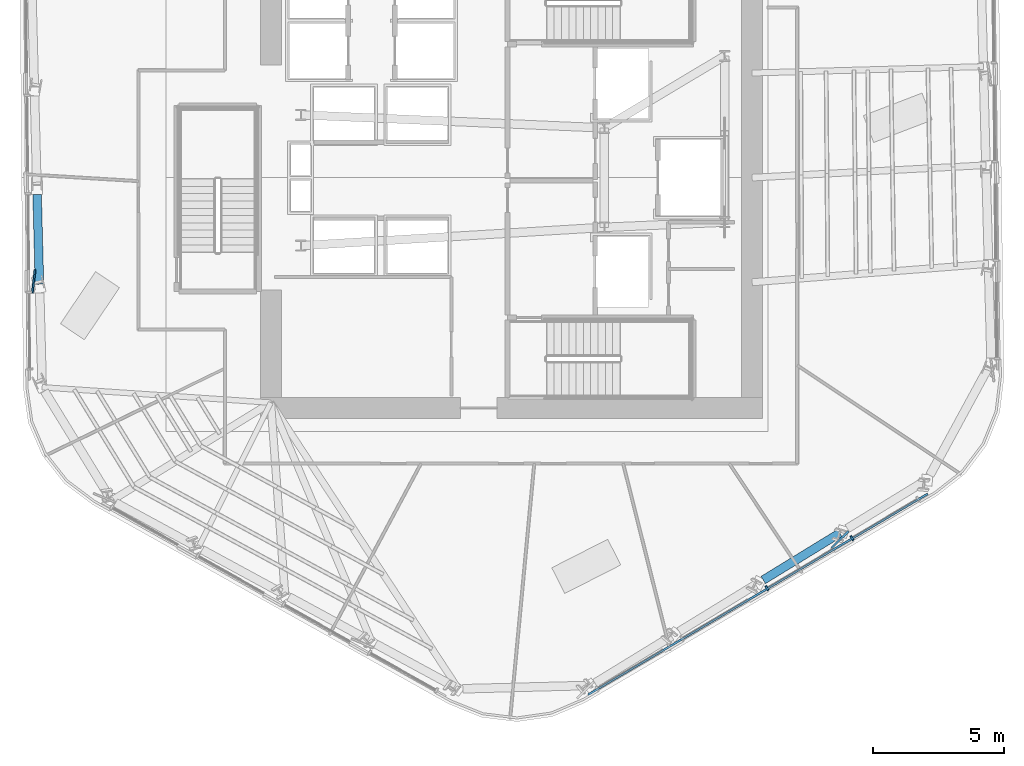
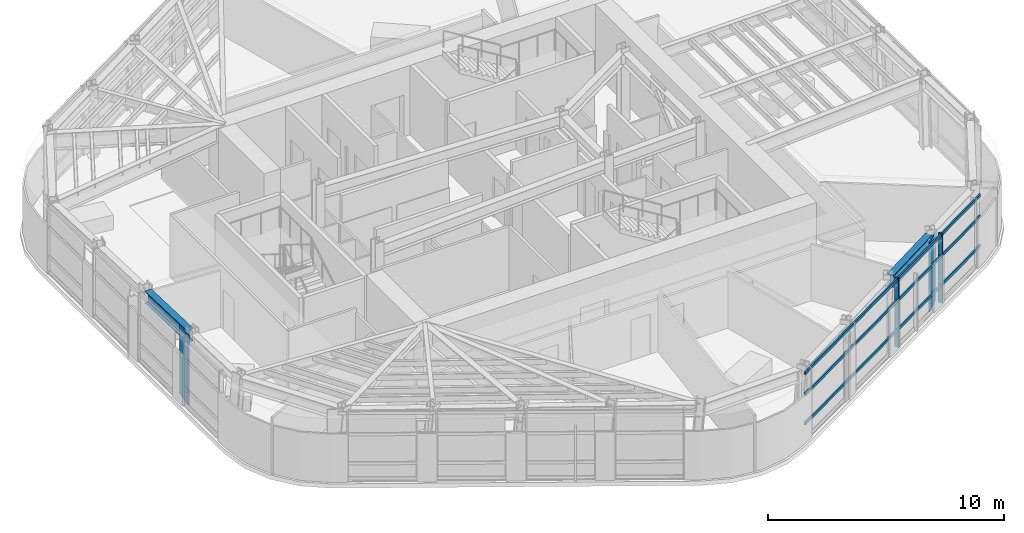
# One storey, part 3 of 16: 7 members, 2 beams, 1 element without a shape of its own.
"""IFC4 building model written with IfcOpenShell, lengths in metres."""

from ifc_helpers import new_model, si_unit, direction, frame, origin, origin_2d, place, context, subcontext, project, spatial, rectangle, i_section, extrude, material, layer, layer_set, material_profile, profile_set, type_object, element, aggregate, save


model = new_model("IFC4")

# Units and contexts
model_context = context("Model", 3, precision=1e-05, world=origin(), true_north=direction((0.0, 1.0)))
body_context = subcontext(model_context, "Body", "Model", "MODEL_VIEW")
ifc_project = project(units=[si_unit("LENGTHUNIT", "METRE"), si_unit("AREAUNIT", "SQUARE_METRE"), si_unit("VOLUMEUNIT", "CUBIC_METRE"), si_unit("PLANEANGLEUNIT", "RADIAN"), si_unit("MASSUNIT", "GRAM", prefix="KILO")], contexts=[model_context])

# Site, building, storey
site_placement = place(None, origin())
site = spatial("IfcSite", under=ifc_project, at=site_placement, CompositionType="ELEMENT")
building_placement = place(site_placement, origin())
building = spatial("IfcBuilding", under=site, at=building_placement, Name="Valkerne Bourse Tower", CompositionType="ELEMENT")
storey_placement = place(building_placement, frame((0.0, 0.0, 155.199951171875)))
storey = spatial("IfcBuildingStorey", under=building, at=storey_placement, Name="L39", CompositionType="ELEMENT", Elevation=155.199951171875)

# Beams
ifc_material_1 = material(Name="Steel ASTM A992", Category="steel")
ifc_material_profile_1 = material_profile(ifc_material_1, i_section(OverallWidth=0.32763671875, OverallDepth=0.62744140625, WebThickness=0.0166015625, FlangeThickness=0.027587890625, FilletRadius=0.020263671875, at=origin_2d()), Name="W24X146")
ifc_profile_set_1 = profile_set([ifc_material_profile_1], Name="Steel ASTM A992")
beam_type = type_object("IfcBeamType", Name="BM-W24X146", PredefinedType="SPANDREL", material=ifc_profile_set_1)
beam_1_placement = place(storey_placement, frame((28.66748046875, 26.355224609375, 3.266357421875), z_axis=(0.026185053561, -0.999657112699, 0.0), x_axis=(0.999657112699, 0.026185053561, 0.0)))
element("IfcBeam", 1, at=beam_1_placement, inside=storey, type_object=beam_type, Name="L39 Hexagonal Spandrel Ring Beam 12", PredefinedType="SPANDREL", context=body_context, shape_type="SweptSolid", body=[
    extrude(i_section(OverallWidth=0.32763671875, OverallDepth=0.62744140625, WebThickness=0.0166015625, FlangeThickness=0.027587890625, FilletRadius=0.020263671875, at=origin_2d()), origin(), (0.0, 0.0, 1.0), 3.43115234375),
])
beam_2_placement = place(storey_placement, frame((56.4248046875, 11.619140625, 3.266357421875), z_axis=(0.8526268191, 0.522520341567, 0.0), x_axis=(-0.522520341567, 0.8526268191, 0.0)))
element("IfcBeam", 2, at=beam_2_placement, inside=storey, type_object=beam_type, Name="L39 Hexagonal Spandrel Ring Beam 22", PredefinedType="SPANDREL", context=body_context, shape_type="SweptSolid", body=[
    extrude(i_section(OverallWidth=0.32763671875, OverallDepth=0.62744140625, WebThickness=0.0166015625, FlangeThickness=0.027587890625, FilletRadius=0.020263671875, at=origin_2d()), origin(), (0.0, 0.0, 1.0), 3.430908203125),
])

# Curtain wall, members
ifc_material_2 = material(Name="Aluminium AA 6063-T6", Category="aluminium")
ifc_layer = layer(ifc_material_2, 0.235107421875)
ifc_layer_set = layer_set([ifc_layer], Name="Aluminium AA 6063-T6")
curtain_wall_type = type_object("IfcCurtainWallType", Name="CW-03", PredefinedType="NOTDEFINED", material=ifc_layer_set)
curtain_wall_placement = place(storey_placement, origin())
curtain_wall = element("IfcCurtainWall", 3, at=curtain_wall_placement, inside=storey, type_object=curtain_wall_type, Name="L39 Hexagonal Stick Curtain Wall Face 5", PredefinedType="NOTDEFINED")
ifc_material_profile_2 = material_profile(ifc_material_2, rectangle(XDim=0.074951171875, YDim=0.199951171875, at=origin_2d()), Name="CWM-75X200")
ifc_profile_set_2 = profile_set([ifc_material_profile_2], Name="Aluminium AA 6063-T6")
member_type_1 = type_object("IfcMemberType", Name="CW-MUL-220X75", PredefinedType="MULLION", material=ifc_profile_set_2)
member_1_placement = place(storey_placement, frame((56.5703125, 11.304443359375, 0.0), z_axis=(0.0, 0.0, 1.0), x_axis=(0.860737468652, 0.509049123424, 0.0)))
member_1 = element("IfcMember", 4, at=member_1_placement, type_object=member_type_1, Name="CW-L39-F5 Jamb Mullion 02A", PredefinedType="MULLION", context=body_context, shape_type="SweptSolid", body=[
    extrude(rectangle(XDim=0.074951171875, YDim=0.199951171875, at=origin_2d()), origin(), (0.0, 0.0, 1.0), 3.580078125),
])
member_2_placement = place(storey_placement, frame((59.816162109375, 13.22412109375, 0.0), z_axis=(0.0, 0.0, 1.0), x_axis=(0.860755958963, 0.509017857358, 0.0)))
member_2 = element("IfcMember", 5, at=member_2_placement, type_object=member_type_1, Name="CW-L39-F5 Jamb Mullion 03A", PredefinedType="MULLION", context=body_context, shape_type="SweptSolid", body=[
    extrude(rectangle(XDim=0.074951171875, YDim=0.199951171875, at=origin_2d()), origin(), (0.0, 0.0, 1.0), 3.580078125),
])
ifc_material_profile_3 = material_profile(ifc_material_2, rectangle(XDim=0.074951171875, YDim=0.14990234375, at=origin_2d()), Name="CWT-75X150")
ifc_profile_set_3 = profile_set([ifc_material_profile_3], Name="Aluminium AA 6063-T6")
member_type_2 = type_object("IfcMemberType", Name="CW-TRN-180X65", PredefinedType="USERDEFINED", material=ifc_profile_set_3)
member_3_placement = place(storey_placement, frame((49.727294921875, 7.234375, 0.900146484375), z_axis=(0.860746029041, 0.509034648615, 0.0), x_axis=(-0.509034648615, 0.860746029041, 0.0)))
member_3 = element("IfcMember", 6, at=member_3_placement, type_object=member_type_2, Name="CW-L39-F5 Continuous Face Transom 2", ObjectType="TRANSOM", PredefinedType="USERDEFINED", context=body_context, shape_type="SweptSolid", body=[
    extrude(rectangle(XDim=0.074951171875, YDim=0.14990234375, at=origin_2d()), origin(), (0.0, 0.0, 1.0), 15.083984375),
])
member_4_placement = place(storey_placement, frame((49.727294921875, 7.234375, 2.400146484375), z_axis=(0.860746029041, 0.509034648615, 0.0), x_axis=(-0.509034648615, 0.860746029041, 0.0)))
member_4 = element("IfcMember", 7, at=member_4_placement, type_object=member_type_2, Name="CW-L39-F5 Continuous Face Transom 3", ObjectType="TRANSOM", PredefinedType="USERDEFINED", context=body_context, shape_type="SweptSolid", body=[
    extrude(rectangle(XDim=0.074951171875, YDim=0.14990234375, at=origin_2d()), origin(), (0.0, 0.0, 1.0), 15.083984375),
])
member_5_placement = place(storey_placement, frame((49.727294921875, 7.234375, 3.5), z_axis=(0.860746029041, 0.509034648615, 0.0), x_axis=(-0.509034648615, 0.860746029041, 0.0)))
member_5 = element("IfcMember", 8, at=member_5_placement, type_object=member_type_2, Name="CW-L39-F5 Continuous Face Transom 4", ObjectType="TRANSOM", PredefinedType="USERDEFINED", context=body_context, shape_type="SweptSolid", body=[
    extrude(rectangle(XDim=0.074951171875, YDim=0.14990234375, at=origin_2d()), origin(), (0.0, 0.0, 1.0), 15.083984375),
])
aggregate(curtain_wall, [member_3, member_4, member_5, member_1, member_2])

# Members
ifc_material_3 = material(Name="Bronze Anodised Aluminium AA 6063-T6", Category="aluminium")
ifc_material_profile_4 = material_profile(ifc_material_3, rectangle(XDim=0.070068359375, YDim=0.89990234375, at=origin_2d()), Name="FIN-70X900")
ifc_profile_set_4 = profile_set([ifc_material_profile_4], Name="Bronze Anodised Aluminium AA 6063-T6")
member_type_3 = type_object("IfcMemberType", Name="FIN-SOLAR-900", PredefinedType="USERDEFINED", material=ifc_profile_set_4)
for number, where, z_axis, x_axis, name in (
    (9, (28.537353515625, 23.03759765625, 0.004150390625), (0.0, 0.0, 1.0), (-0.993390374304, 0.114784860677, 0.0), "L39 Bronze Anodised Solar Fin F3-03"),
    (10, (59.36279296875, 13.165283203125, 0.004150390625), (0.0, 0.0, 1.0), (0.702112025495, -0.71206650227, 0.0), "L39 Bronze Anodised Solar Fin F5-03"),
):
    element("IfcMember", number, at=place(storey_placement, frame(where, z_axis=z_axis, x_axis=x_axis)), inside=storey, type_object=member_type_3, Name=name, ObjectType="SOLAR_FIN", PredefinedType="USERDEFINED", context=body_context, shape_type="SweptSolid", body=[
        extrude(rectangle(XDim=0.070068359375, YDim=0.89990234375, at=origin_2d()), origin(), (0.0, 0.0, 1.0), 3.57177734375),
    ])

save(model, "model.ifc")
